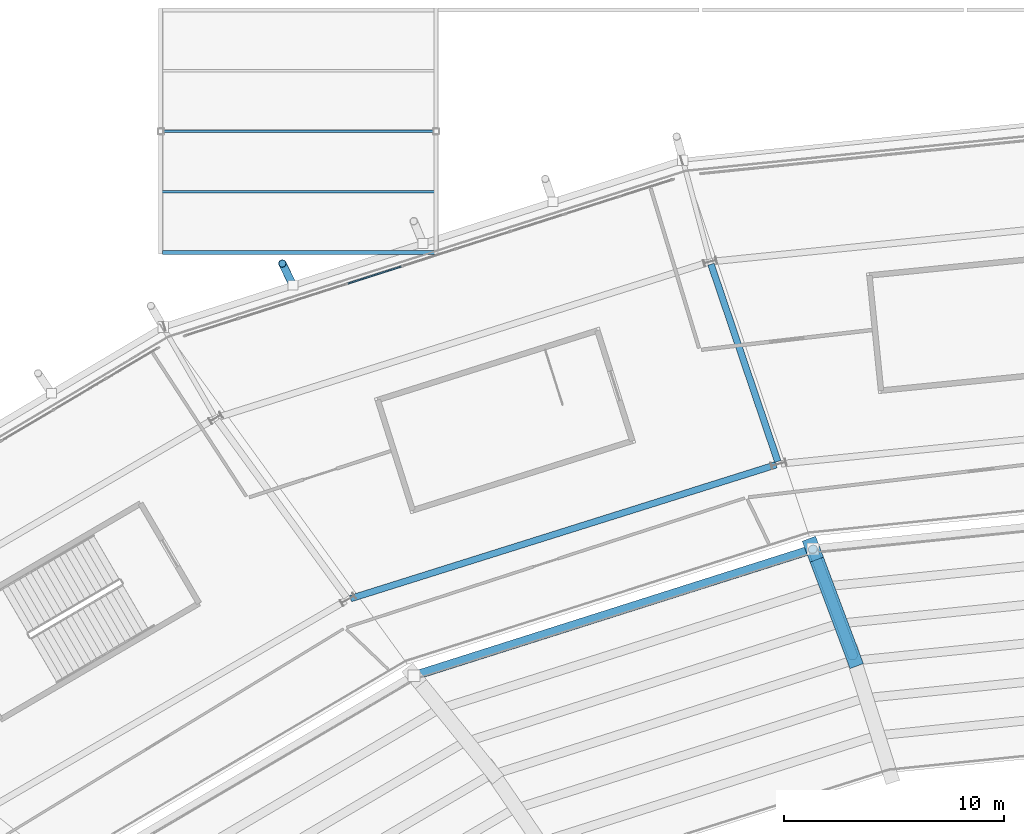
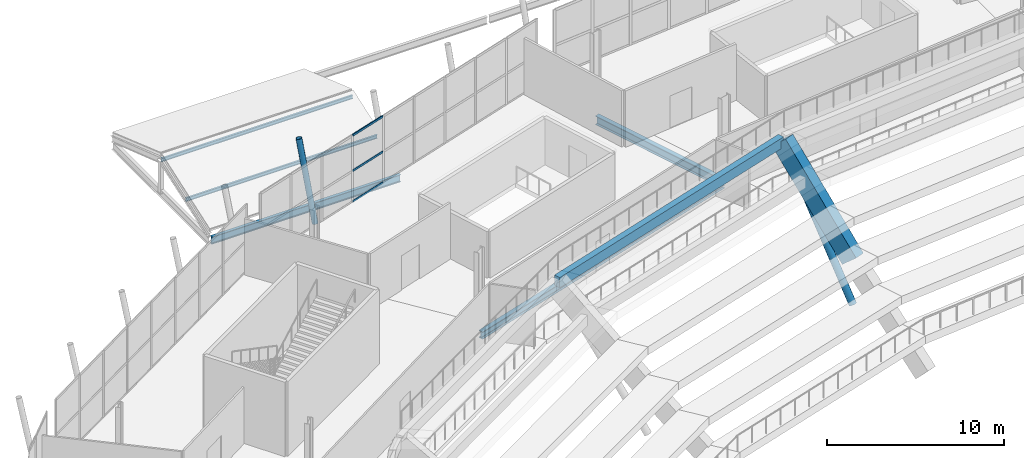
# One storey, part 51 of 126: 7 members, 5 beams, 1 element without a shape of its own.
"""IFC4 building model written with IfcOpenShell, lengths in metres."""

from ifc_helpers import new_model, si_unit, direction, frame, origin, origin_2d, place, context, subcontext, project, spatial, rectangle, hollow_circle, i_section, extrude, material, material_profile, profile_set, type_object, element, aggregate, save


model = new_model("IFC4")

# Units and contexts
model_context = context("Model", 3, precision=1e-05, world=origin(), true_north=direction((0.0, 1.0)))
body_context = subcontext(model_context, "Body", "Model", "MODEL_VIEW")
ifc_project = project(units=[si_unit("LENGTHUNIT", "METRE"), si_unit("AREAUNIT", "SQUARE_METRE"), si_unit("VOLUMEUNIT", "CUBIC_METRE"), si_unit("PLANEANGLEUNIT", "RADIAN"), si_unit("MASSUNIT", "GRAM", prefix="KILO")], contexts=[model_context])

# Site, building, storey
site_placement = place(None, origin())
site = spatial("IfcSite", under=ifc_project, at=site_placement, CompositionType="ELEMENT")
building_placement = place(site_placement, origin())
building = spatial("IfcBuilding", under=site, at=building_placement, Name="Zlatoyarsky Gate Stadium", CompositionType="ELEMENT")
storey_placement = place(building_placement, frame((0.0, 0.0, 20.800048828125)))
storey = spatial("IfcBuildingStorey", under=building, at=storey_placement, Name="L04", CompositionType="ELEMENT", Elevation=20.800048828125)

# Curtain wall, members
ifc_material_1 = material(Name="Thermally broken anodised aluminium curtain wall", Category="aluminium")
curtain_wall_type = type_object("IfcCurtainWallType", Name="UNITISED MEDIA RING GLAZING L04", PredefinedType="USERDEFINED", material=ifc_material_1)
curtain_wall_placement = place(storey_placement, origin())
curtain_wall = element("IfcCurtainWall", 1, at=curtain_wall_placement, inside=storey, type_object=curtain_wall_type, Name="Curtain wall CW-L04-07", ObjectType="UNITISED GLAZING", PredefinedType="USERDEFINED")
ifc_material_2 = material(Name="Anodised aluminium 6063-T6", Category="aluminium")
ifc_material_profile_1 = material_profile(ifc_material_2, rectangle(XDim=0.06494140625, YDim=0.139892578125, at=origin_2d()), Name="ALU 65X140")
ifc_profile_set_1 = profile_set([ifc_material_profile_1], Name="Anodised aluminium 6063-T6")
member_type_1 = type_object("IfcMemberType", Name="ALUMINIUM TRANSOM 65X140", PredefinedType="USERDEFINED", material=ifc_profile_set_1)
member_1_placement = place(storey_placement, frame((72.907958984375, 148.357421875, 0.032470703125), z_axis=(-0.952335304296, -0.305053221901, 0.0), x_axis=(0.305053221901, -0.952335304296, 0.0)))
member_1 = element("IfcMember", 2, at=member_1_placement, type_object=member_type_1, Name="CW-UG4 transom 6.1", ObjectType="TRANSOM", PredefinedType="USERDEFINED", context=body_context, shape_type="SweptSolid", body=[
    extrude(rectangle(XDim=0.06494140625, YDim=0.139892578125, at=origin_2d()), origin(), (0.0, 0.0, 1.0), 2.521728515625),
])
member_2_placement = place(storey_placement, frame((72.907958984375, 148.357421875, 2.14990234375), z_axis=(-0.952335304296, -0.305053221901, 0.0), x_axis=(0.305053221901, -0.952335304296, 0.0)))
member_2 = element("IfcMember", 3, at=member_2_placement, type_object=member_type_1, Name="CW-UG4 transom 6.2", ObjectType="TRANSOM", PredefinedType="USERDEFINED", context=body_context, shape_type="SweptSolid", body=[
    extrude(rectangle(XDim=0.06494140625, YDim=0.139892578125, at=origin_2d()), origin(), (0.0, 0.0, 1.0), 2.521728515625),
])
member_3_placement = place(storey_placement, frame((72.907958984375, 148.357421875, 4.58740234375), z_axis=(-0.952335304296, -0.305053221901, 0.0), x_axis=(0.305053221901, -0.952335304296, 0.0)))
member_3 = element("IfcMember", 4, at=member_3_placement, type_object=member_type_1, Name="CW-UG4 transom 6.3", ObjectType="TRANSOM", PredefinedType="USERDEFINED", context=body_context, shape_type="SweptSolid", body=[
    extrude(rectangle(XDim=0.06494140625, YDim=0.139892578125, at=origin_2d()), origin(), (0.0, 0.0, 1.0), 2.521728515625),
])
aggregate(curtain_wall, [member_1, member_2, member_3])

# Beams
ifc_material_3 = material(Name="Concrete C40/50", Category="concrete")
ifc_material_profile_2 = material_profile(ifc_material_3, rectangle(XDim=0.39990234375, YDim=0.699951171875, at=origin_2d()), Name="RC BEAM 400X700")
ifc_profile_set_2 = profile_set([ifc_material_profile_2], Name="Concrete C40/50")
beam_type_1 = type_object("IfcBeamType", Name="CONCRETE FLOOR BEAM 400X700", PredefinedType="BEAM", material=ifc_profile_set_2)
beam_1_placement = place(storey_placement, frame((91.493408203125, 135.510498046875, 4.18994140625), z_axis=(-0.953099268139, -0.302657868018, 0.0), x_axis=(0.302657868018, -0.953099268139, 0.0)))
element("IfcBeam", 5, at=beam_1_placement, inside=storey, type_object=beam_type_1, Name="Upper bowl step tie beam 07.6", PredefinedType="BEAM", context=body_context, shape_type="SweptSolid", body=[
    extrude(rectangle(XDim=0.39990234375, YDim=0.699951171875, at=origin_2d()), origin(), (0.0, 0.0, 1.0), 18.779052734375),
])
ifc_material_4 = material(Name="Precast concrete C40/50", Category="concrete")
ifc_material_profile_3 = material_profile(ifc_material_4, rectangle(XDim=0.64990234375, YDim=1.35009765625, at=origin_2d()), Name="PC RAKER 650X1350")
ifc_profile_set_3 = profile_set([ifc_material_profile_3], Name="Precast concrete C40/50")
beam_type_2 = type_object("IfcBeamType", Name="PRECAST UPPER BOWL RAKER 650X1350", PredefinedType="USERDEFINED", material=ifc_profile_set_3)
beam_2_placement = place(storey_placement, frame((93.400390625, 130.711181640625, -1.719970703125), z_axis=(-0.230963388332, 0.615674133943, 0.753393173611), x_axis=(-0.936286378911, -0.351237550192, 0.0)))
element("IfcBeam", 6, at=beam_2_placement, inside=storey, type_object=beam_type_2, Name="Upper bowl radial raker 07 outer", ObjectType="RAKER", PredefinedType="USERDEFINED", context=body_context, shape_type="SweptSolid", body=[
    extrude(rectangle(XDim=0.64990234375, YDim=1.35009765625, at=origin_2d()), origin(), (0.0, 0.0, 1.0), 7.844482421875),
])

# Member
ifc_material_5 = material(Name="Steel S355", Category="steel")
ifc_material_profile_4 = material_profile(ifc_material_5, hollow_circle(Radius=0.228515625, WallThickness=0.02490234375, at=origin_2d()), Name="CHS 457X25")
ifc_profile_set_4 = profile_set([ifc_material_profile_4], Name="Steel S355")
member_type_2 = type_object("IfcMemberType", Name="STEEL BACKSPAN TIE STRUT CHS 457X25", PredefinedType="STRUT", material=ifc_profile_set_4)
member_4_placement = place(storey_placement, frame((93.400390625, 130.711181640625, -4.85009765625), z_axis=(-0.17407188051, 0.464019665846, 0.86855323966), x_axis=(-0.936286378911, -0.351237550192, 0.0)))
element("IfcMember", 7, at=member_4_placement, inside=storey, type_object=member_type_2, Name="Upper tier outer raker prop strut 07", PredefinedType="STRUT", context=body_context, shape_type="SweptSolid", body=[
    extrude(hollow_circle(Radius=0.228515625, WallThickness=0.02490234375, at=origin_2d()), origin(), (0.0, 0.0, 1.0), 10.408203125),
])

# Beam
ifc_material_profile_5 = material_profile(ifc_material_5, i_section(OverallWidth=0.199951171875, OverallDepth=0.5, WebThickness=0.01025390625, FlangeThickness=0.01611328125, FilletRadius=0.02099609375, at=origin_2d()), Name="IPE 500")
ifc_profile_set_5 = profile_set([ifc_material_profile_5], Name="Steel S355")
beam_type_3 = type_object("IfcBeamType", Name="STEEL FLOOR BEAM IPE 500", PredefinedType="BEAM", material=ifc_profile_set_5)
beam_3_placement = place(storey_placement, frame((62.080078125, 149.0, -0.550048828125), z_axis=(1.0, 0.0, 0.0), x_axis=(0.0, 1.0, 0.0)))
element("IfcBeam", 8, at=beam_3_placement, inside=storey, type_object=beam_type_3, Name="Beam B-IPE500 BM-L04-WGX-6-P", PredefinedType="BEAM", context=body_context, shape_type="SweptSolid", body=[
    extrude(i_section(OverallWidth=0.199951171875, OverallDepth=0.5, WebThickness=0.01025390625, FlangeThickness=0.01611328125, FilletRadius=0.02099609375, at=origin_2d()), origin(), (0.0, 0.0, 1.0), 12.33984375),
])

# Members
ifc_material_profile_6 = material_profile(ifc_material_5, hollow_circle(Radius=0.177734375, WallThickness=0.02001953125, at=origin_2d()), Name="CHS 355.6X20")
ifc_profile_set_6 = profile_set([ifc_material_profile_6], Name="Steel S355")
member_type_3 = type_object("IfcMemberType", Name="STEEL LEANING RIB RING STRUT CHS 355.6X20", PredefinedType="STRUT", material=ifc_profile_set_6)
member_5_placement = place(storey_placement, frame((68.01025390625, 147.5107421875, -0.550048828125), z_axis=(-0.08779811295, 0.177927538519, 0.980119014405), x_axis=(-0.896764831764, -0.442507442324, 0.0)))
element("IfcMember", 9, at=member_5_placement, inside=storey, type_object=member_type_3, Name="Outward-leaning bowl louvre fin rib L04 07-3", PredefinedType="STRUT", context=body_context, shape_type="SweptSolid", body=[
    extrude(hollow_circle(Radius=0.177734375, WallThickness=0.02001953125, at=origin_2d()), origin(), (0.0, 0.0, 1.0), 5.55029296875),
])
ifc_material_profile_7 = material_profile(ifc_material_5, i_section(OverallWidth=0.1201171875, OverallDepth=0.239990234375, WebThickness=0.006103515625, FlangeThickness=0.009765625, FilletRadius=0.014892578125, at=origin_2d()), Name="IPE 240")
ifc_profile_set_7 = profile_set([ifc_material_profile_7], Name="Steel S355")
member_type_4 = type_object("IfcMemberType", Name="STEEL PAVILION ROOF PURLIN IPE 240", PredefinedType="PURLIN", material=ifc_profile_set_7)
for number, where, z_axis, x_axis, name in (
    (10, (62.0, 154.5, 1.669921875), (1.0, 0.0, 0.0), (0.0, 1.0, 0.0), "V2_NORTH_W ridge purlin 1"),
    (11, (62.0, 151.75, 0.594970703125), (1.0, 0.0, 0.0), (0.0, 1.0, 0.0), "V2_NORTH_W roof purlin 1S"),
):
    element("IfcMember", number, at=place(storey_placement, frame(where, z_axis=z_axis, x_axis=x_axis)), inside=storey, type_object=member_type_4, Name=name, PredefinedType="PURLIN", context=body_context, shape_type="SweptSolid", body=[
        extrude(i_section(OverallWidth=0.1201171875, OverallDepth=0.239990234375, WebThickness=0.006103515625, FlangeThickness=0.009765625, FilletRadius=0.014892578125, at=origin_2d()), origin(), (0.0, 0.0, 1.0), 12.5),
    ])

# Beams
ifc_material_profile_8 = material_profile(ifc_material_5, i_section(OverallWidth=0.300048828125, OverallDepth=0.5, WebThickness=0.014404296875, FlangeThickness=0.028076171875, FilletRadius=0.027099609375, at=origin_2d()), Name="HEB 500")
ifc_profile_set_8 = profile_set([ifc_material_profile_8], Name="Steel S355")
beam_type_4 = type_object("IfcBeamType", Name="STEEL PRIMARY GIRDER HEB 500", PredefinedType="BEAM", material=ifc_profile_set_8)
beam_4_placement = place(storey_placement, frame((89.921142578125, 139.368408203125, -0.550048828125), z_axis=(-0.953937507984, -0.300005384719, 0.0), x_axis=(0.300005384719, -0.953937507984, 0.0)))
element("IfcBeam", 12, at=beam_4_placement, inside=storey, type_object=beam_type_4, Name="Beam G-HEB500 BM-L04-CRB-07", PredefinedType="BEAM", context=body_context, shape_type="SweptSolid", body=[
    extrude(i_section(OverallWidth=0.300048828125, OverallDepth=0.5, WebThickness=0.014404296875, FlangeThickness=0.028076171875, FilletRadius=0.027099609375, at=origin_2d()), origin(), (0.0, 0.0, 1.0), 20.239013671875),
])
ifc_material_profile_9 = material_profile(ifc_material_5, i_section(OverallWidth=0.300048828125, OverallDepth=0.60009765625, WebThickness=0.015380859375, FlangeThickness=0.030029296875, FilletRadius=0.027099609375, at=origin_2d()), Name="HEB 600")
ifc_profile_set_9 = profile_set([ifc_material_profile_9], Name="Steel S355")
beam_type_5 = type_object("IfcBeamType", Name="STEEL PRIMARY GIRDER HEB 600", PredefinedType="BEAM", material=ifc_profile_set_9)
beam_5_placement = place(storey_placement, frame((89.997314453125, 139.51806640625, -0.60009765625), z_axis=(-0.320612225581, 0.947210536686, 0.0), x_axis=(-0.947210536686, -0.320612225581, 0.0)))
element("IfcBeam", 13, at=beam_5_placement, inside=storey, type_object=beam_type_5, Name="Beam G-HEB600 BM-L04-RBC-07", PredefinedType="BEAM", context=body_context, shape_type="SweptSolid", body=[
    extrude(i_section(OverallWidth=0.300048828125, OverallDepth=0.60009765625, WebThickness=0.015380859375, FlangeThickness=0.030029296875, FilletRadius=0.027099609375, at=origin_2d()), origin(), (0.0, 0.0, 1.0), 9.44775390625),
])

save(model, "model.ifc")
